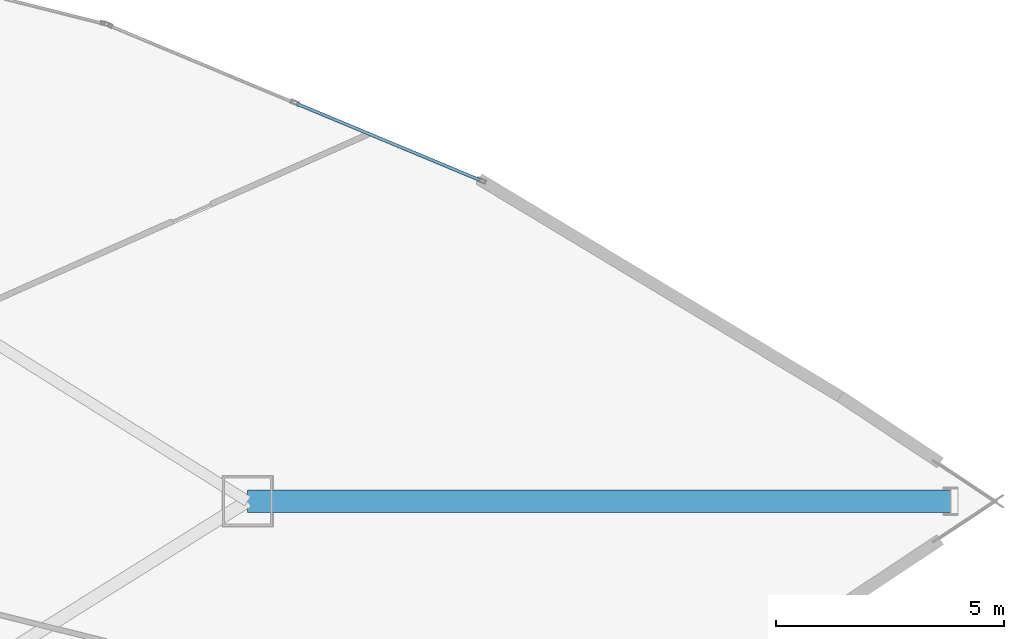
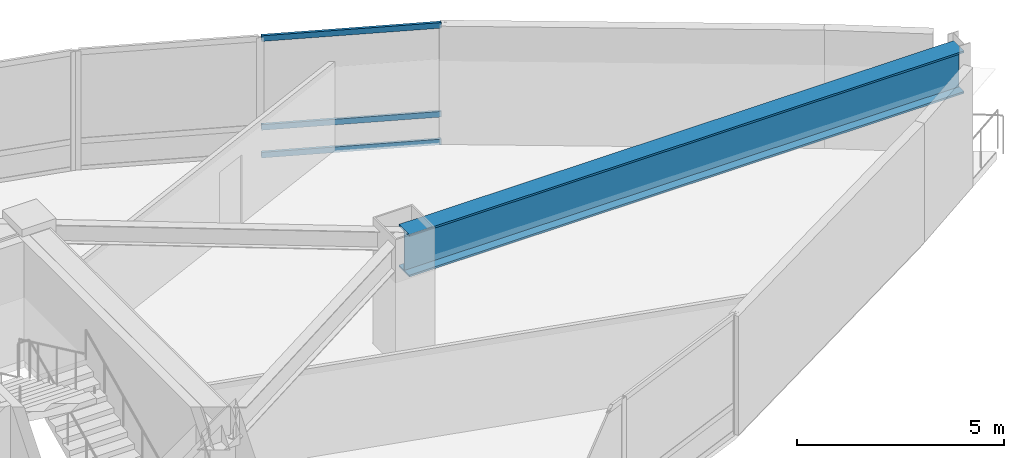
# One storey, part 11 of 18: 3 members, 1 beam, 1 element without a shape of its own.
"""IFC4 building model written with IfcOpenShell, lengths in metres."""

from ifc_helpers import new_model, si_unit, direction, frame, origin, origin_2d, place, context, subcontext, project, spatial, hollow_rectangle, i_section, extrude, material, layer, layer_set, material_profile, profile_set, type_object, element, aggregate, save


model = new_model("IFC4")

# Units and contexts
model_context = context("Model", 3, precision=1e-05, world=origin(), true_north=direction((0.0, 1.0)))
body_context = subcontext(model_context, "Body", "Model", "MODEL_VIEW")
ifc_project = project(units=[si_unit("LENGTHUNIT", "METRE"), si_unit("AREAUNIT", "SQUARE_METRE"), si_unit("VOLUMEUNIT", "CUBIC_METRE"), si_unit("PLANEANGLEUNIT", "RADIAN"), si_unit("MASSUNIT", "GRAM", prefix="KILO")], contexts=[model_context])

# Site, building, storey
site_placement = place(None, origin())
site = spatial("IfcSite", under=ifc_project, at=site_placement, CompositionType="ELEMENT")
building_placement = place(site_placement, origin())
building = spatial("IfcBuilding", under=site, at=building_placement, Name="Menara Vayukalpa", CompositionType="ELEMENT")
storey_placement = place(building_placement, frame((0.0, 0.0, 165.47998046875)))
storey = spatial("IfcBuildingStorey", under=building, at=storey_placement, Name="L41", CompositionType="ELEMENT", Elevation=165.47998046875)

# Beam
ifc_material_1 = material(Name="Steel S460", Category="steel")
ifc_material_profile_1 = material_profile(ifc_material_1, i_section(OverallWidth=0.5, OverallDepth=1.25, WebThickness=0.028076171875, FlangeThickness=0.054931640625, at=origin_2d()), Name="WG 1250x500x28x55")
ifc_profile_set_1 = profile_set([ifc_material_profile_1], Name="Steel S460")
beam_type = type_object("IfcBeamType", Name="BM-TG2", PredefinedType="BEAM", material=ifc_profile_set_1)
beam_placement = place(storey_placement, frame((41.05908203125, 22.0, 2.875), z_axis=(1.0, 0.0, 0.0), x_axis=(0.0, 1.0, 0.0)))
element("IfcBeam", 1, at=beam_placement, inside=storey, type_object=beam_type, Name="L41 SB3 Sky Bar Vierendeel Girder 01", PredefinedType="BEAM", context=body_context, shape_type="SweptSolid", body=[
    extrude(i_section(OverallWidth=0.5, OverallDepth=1.25, WebThickness=0.028076171875, FlangeThickness=0.054931640625, at=origin_2d()), origin(), (0.0, 0.0, 1.0), 15.44287109375),
])

# Curtain wall, members
ifc_material_2 = material(Name="Anodised Terracotta Aluminium Alloy 6063-T6", Category="masonry")
ifc_layer = layer(ifc_material_2, 0.179931640625)
ifc_layer_set = layer_set([ifc_layer], Name="Anodised Terracotta Aluminium Alloy 6063-T6")
curtain_wall_type = type_object("IfcCurtainWallType", Name="CW-CW4", PredefinedType="USERDEFINED", material=ifc_layer_set)
curtain_wall_placement = place(storey_placement, origin())
curtain_wall = element("IfcCurtainWall", 2, at=curtain_wall_placement, inside=storey, type_object=curtain_wall_type, Name="L41 Sky Bar Cantilever Glazed Curtain Wall CW4 04", ObjectType="UNITISED", PredefinedType="USERDEFINED")
ifc_material_3 = material(Name="Anodised Terracotta Aluminium Alloy 6063-T6", Category="masonry")
ifc_material_profile_2 = material_profile(ifc_material_3, hollow_rectangle(XDim=0.070068359375, YDim=0.1650390625, WallThickness=0.00390625, at=origin_2d()), Name="ALU 70x165x4")
ifc_profile_set_2 = profile_set([ifc_material_profile_2], Name="Anodised Terracotta Aluminium Alloy 6063-T6")
member_type = type_object("IfcMemberType", Name="CWT-CW4", PredefinedType="USERDEFINED", material=ifc_profile_set_2)
member_1_placement = place(storey_placement, frame((46.166015625, 29.05419921875, 0.034912109375), z_axis=(-0.9228767989, 0.385095331123, 0.0), x_axis=(-0.385095331123, -0.9228767989, 0.0)))
member_1 = element("IfcMember", 3, at=member_1_placement, type_object=member_type, Name="CW4 transom 1.1", ObjectType="TRANSOM", PredefinedType="USERDEFINED", context=body_context, shape_type="SweptSolid", body=[
    extrude(hollow_rectangle(XDim=0.070068359375, YDim=0.1650390625, WallThickness=0.00390625, at=origin_2d()), origin(), (0.0, 0.0, 1.0), 4.369873046875),
])
member_2_placement = place(storey_placement, frame((46.166015625, 29.05419921875, 0.85009765625), z_axis=(-0.9228767989, 0.385095331123, 0.0), x_axis=(-0.385095331123, -0.9228767989, 0.0)))
member_2 = element("IfcMember", 4, at=member_2_placement, type_object=member_type, Name="CW4 transom 1.2", ObjectType="TRANSOM", PredefinedType="USERDEFINED", context=body_context, shape_type="SweptSolid", body=[
    extrude(hollow_rectangle(XDim=0.070068359375, YDim=0.1650390625, WallThickness=0.00390625, at=origin_2d()), origin(), (0.0, 0.0, 1.0), 4.369873046875),
])
member_3_placement = place(storey_placement, frame((46.166015625, 29.05419921875, 3.465087890625), z_axis=(-0.9228767989, 0.385095331123, 0.0), x_axis=(-0.385095331123, -0.9228767989, 0.0)))
member_3 = element("IfcMember", 5, at=member_3_placement, type_object=member_type, Name="CW4 transom 1.3", ObjectType="TRANSOM", PredefinedType="USERDEFINED", context=body_context, shape_type="SweptSolid", body=[
    extrude(hollow_rectangle(XDim=0.070068359375, YDim=0.1650390625, WallThickness=0.00390625, at=origin_2d()), origin(), (0.0, 0.0, 1.0), 4.369873046875),
])
aggregate(curtain_wall, [member_1, member_2, member_3])

save(model, "model.ifc")
